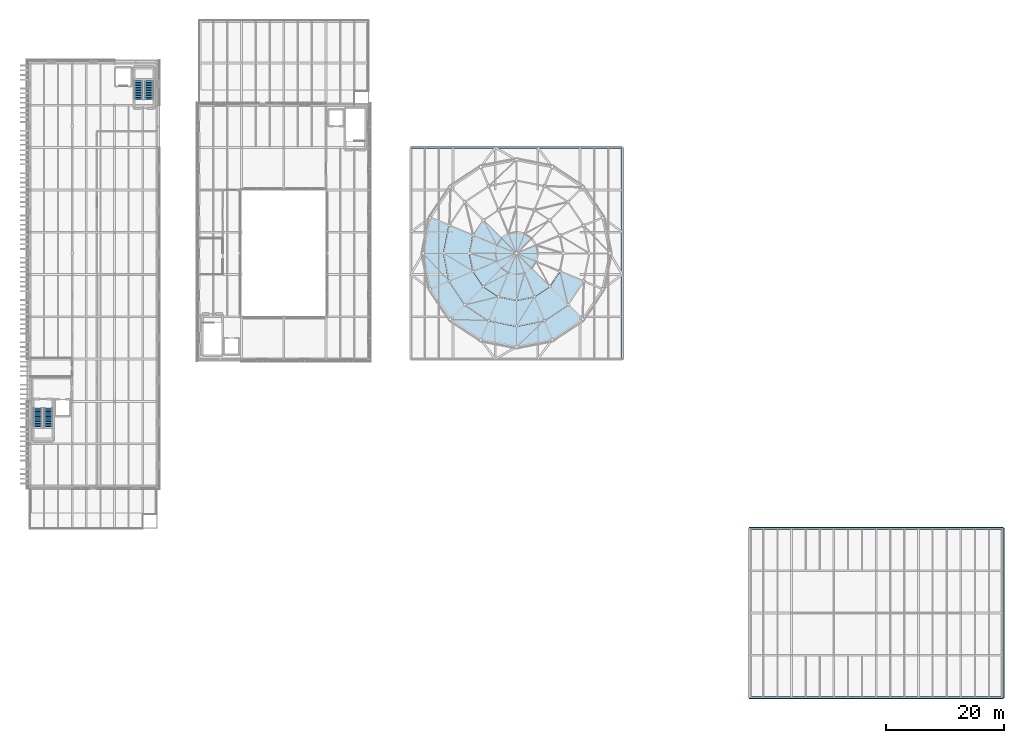
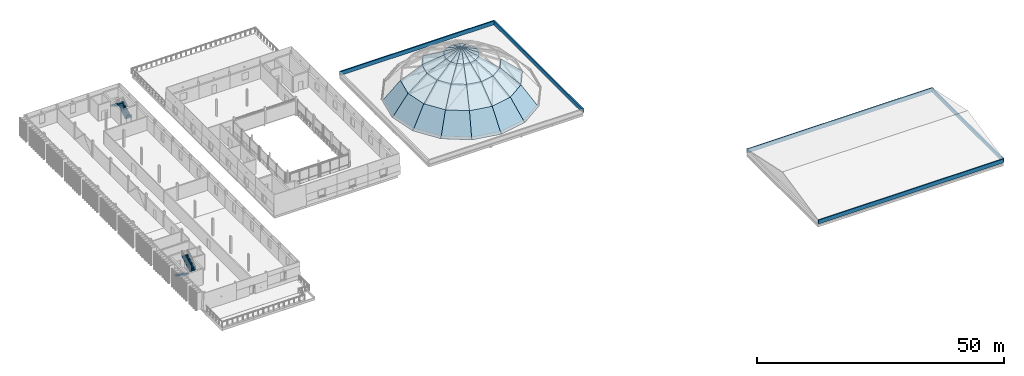
# One storey, part 49 of 66: 38 roofs, 5 walls, 4 stair flights, 2 elements without a shape of their own.
"""IFC4 building model written with IfcOpenShell, lengths in metres."""

from ifc_helpers import new_model, si_unit, direction, frame, frame_2d, origin, place, context, subcontext, project, spatial, polyline, rectangle, outline, extrude, material, layer, layer_set, type_object, element, aggregate, save


model = new_model("IFC4")

# Units and contexts
model_context = context("Model", 3, precision=1e-05, world=origin(), true_north=direction((0.0, 1.0)))
body_context = subcontext(model_context, "Body", "Model", "MODEL_VIEW")
ifc_project = project(units=[si_unit("LENGTHUNIT", "METRE"), si_unit("AREAUNIT", "SQUARE_METRE"), si_unit("VOLUMEUNIT", "CUBIC_METRE"), si_unit("PLANEANGLEUNIT", "RADIAN"), si_unit("MASSUNIT", "GRAM", prefix="KILO")], contexts=[model_context])

# Site, building, storey
site_placement = place(None, origin())
site = spatial("IfcSite", under=ifc_project, at=site_placement, CompositionType="ELEMENT")
building_placement = place(site_placement, origin())
building = spatial("IfcBuilding", under=site, at=building_placement, Name="Narikvali Park Central Library", CompositionType="ELEMENT")
storey_placement = place(building_placement, frame((0.0, 0.0, 18.60009765625)))
storey = spatial("IfcBuildingStorey", under=building, at=storey_placement, Name="L04", CompositionType="ELEMENT", Elevation=18.60009765625)

# Walls
ifc_material_1 = material(Name="White Honed Limestone over Concrete C35/45", Category="masonry")
ifc_layer_1 = layer(ifc_material_1, 0.300048828125, Name="White Honed Limestone over Concrete C35/45")
ifc_layer_set_1 = layer_set([ifc_layer_1], Name="White Honed Limestone over Concrete C35/45")
wall_type = type_object("IfcWallType", Name="Limestone Coping Parapet Wall 300", PredefinedType="PARAPET", material=ifc_layer_set_1)
for number, where, z_axis, x_axis, name in (
    (1, (100.800048828125, 57.60009765625, 0.0), (0.0, 0.0, 1.0), (0.0, 1.0, 0.0), "V1 L04 Roof Limestone Parapet E"),
    (2, (100.800048828125, 93.60009765625, 0.0), (0.0, 0.0, 1.0), (-1.0, 0.0, 0.0), "V1 L04 Roof Limestone Parapet N"),
):
    element("IfcWall", number, at=place(storey_placement, frame(where, z_axis=z_axis, x_axis=x_axis)), inside=storey, type_object=wall_type, Name=name, PredefinedType="PARAPET", context=body_context, shape_type="SweptSolid", body=[
        extrude(rectangle(XDim=36.0, YDim=0.300048828125, at=frame_2d((18.0, 0.0))), origin(), (0.0, 0.0, 1.0), 0.949951171875),
    ])
wall_1_placement = place(storey_placement, frame((122.39990234375, 0.0, 0.0), z_axis=(0.0, 0.0, 1.0), x_axis=(1.0, 0.0, 0.0)))
element("IfcWall", 3, at=wall_1_placement, inside=storey, type_object=wall_type, Name="V6 L04 Roof Limestone Parapet S", PredefinedType="PARAPET", context=body_context, shape_type="SweptSolid", body=[
    extrude(rectangle(XDim=43.2001953125, YDim=0.300048828125, at=frame_2d((21.60009765625, 0.0))), origin(), (0.0, 0.0, 1.0), 0.949951171875),
])
wall_2_placement = place(storey_placement, frame((165.60009765625, 0.0, 0.0), z_axis=(0.0, 0.0, 1.0), x_axis=(0.0, 1.0, 0.0)))
element("IfcWall", 4, at=wall_2_placement, inside=storey, type_object=wall_type, Name="V6 L04 Roof Limestone Parapet E", PredefinedType="PARAPET", context=body_context, shape_type="SweptSolid", body=[
    extrude(rectangle(XDim=28.800048828125, YDim=0.300048828125, at=frame_2d((14.39990234375, 0.0))), origin(), (0.0, 0.0, 1.0), 0.949951171875),
])
wall_3_placement = place(storey_placement, frame((165.60009765625, 28.800048828125, 0.0), z_axis=(0.0, 0.0, 1.0), x_axis=(-1.0, 0.0, 0.0)))
element("IfcWall", 5, at=wall_3_placement, inside=storey, type_object=wall_type, Name="V6 L04 Roof Limestone Parapet N", PredefinedType="PARAPET", context=body_context, shape_type="SweptSolid", body=[
    extrude(rectangle(XDim=43.2001953125, YDim=0.300048828125, at=frame_2d((21.60009765625, 0.0))), origin(), (0.0, 0.0, 1.0), 0.949951171875),
])

# Stair, stair flights
ifc_material_2 = material(Name="Concrete C35/45", Category="concrete")
stair_type = type_object("IfcStairType", Name="Core Enclosed Two-Flight Exit Stair", PredefinedType="HALF_TURN_STAIR", material=ifc_material_2)
stair_1_placement = place(storey_placement, origin())
stair_1 = element("IfcStair", 6, at=stair_1_placement, inside=storey, type_object=stair_type, Name="L04 Exit Stair ST-09", PredefinedType="HALF_TURN_STAIR")
ifc_material_3 = material(Name="Precast concrete C40/50", Category="concrete")
stair_flight_type = type_object("IfcStairFlightType", Name="Precast Concrete Stair Flight 1420", PredefinedType="STRAIGHT", material=ifc_material_3)
stair_flight_1_placement = place(storey_placement, frame((1.360107421875, 49.25, 0.0), z_axis=(0.0, 0.0, 1.0), x_axis=(0.0, -1.0, 0.0)))
stair_flight_1 = element("IfcStairFlight", 7, at=stair_flight_1_placement, type_object=stair_flight_type, Name="ST-09 flight 1", NumberOfRisers=12, NumberOfTreads=11, PredefinedType="STRAIGHT", RiserHeight=0.175, TreadLength=0.285, context=body_context, shape_type="SweptSolid", body=[
    extrude(outline(polyline([(-0.0400390625, -0.02490234375), (-0.0400390625, 0.0), (0.0, 0.0), (0.0, 0.175048828125), (0.284912109375, 0.175048828125), (0.284912109375, 0.35009765625), (0.570068359375, 0.35009765625), (0.570068359375, 0.52490234375), (0.85498046875, 0.52490234375), (0.85498046875, 0.699951171875), (1.139892578125, 0.699951171875), (1.139892578125, 0.875), (1.425048828125, 0.875), (1.425048828125, 1.050048828125), (1.7099609375, 1.050048828125), (1.7099609375, 1.22509765625), (1.9951171875, 1.22509765625), (1.9951171875, 1.39990234375), (2.280029296875, 1.39990234375), (2.280029296875, 1.574951171875), (2.56494140625, 1.574951171875), (2.56494140625, 1.75), (2.85009765625, 1.75), (2.85009765625, 1.925048828125), (3.135009765625, 1.925048828125), (3.135009765625, 2.10009765625), (3.179931640625, 2.10009765625), (3.179931640625, 1.7138671875), (3.135009765625, 1.7138671875), (0.34375, -0.02490234375), (-0.0400390625, -0.02490234375)])), frame((0.0, 0.7099609375, 0.0), z_axis=(0.0, -1.0, 0.0), x_axis=(1.0, 0.0, 0.0)), (0.0, 0.0, 1.0), 1.419921875),
])
stair_flight_2_placement = place(storey_placement, frame((3.139892578125, 46.114990234375, 2.099853515625), z_axis=(0.0, 0.0, 1.0), x_axis=(0.0, 1.0, 0.0)))
stair_flight_2 = element("IfcStairFlight", 8, at=stair_flight_2_placement, type_object=stair_flight_type, Name="ST-09 flight 2", NumberOfRisers=12, NumberOfTreads=11, PredefinedType="STRAIGHT", RiserHeight=0.175, TreadLength=0.285, context=body_context, shape_type="SweptSolid", body=[
    extrude(outline(polyline([(-0.0400390625, -0.02490234375), (-0.0400390625, 0.0), (0.0, 0.0), (0.0, 0.175048828125), (0.284912109375, 0.175048828125), (0.284912109375, 0.35009765625), (0.570068359375, 0.35009765625), (0.570068359375, 0.52490234375), (0.85498046875, 0.52490234375), (0.85498046875, 0.699951171875), (1.139892578125, 0.699951171875), (1.139892578125, 0.875), (1.425048828125, 0.875), (1.425048828125, 1.050048828125), (1.7099609375, 1.050048828125), (1.7099609375, 1.22509765625), (1.9951171875, 1.22509765625), (1.9951171875, 1.39990234375), (2.280029296875, 1.39990234375), (2.280029296875, 1.574951171875), (2.56494140625, 1.574951171875), (2.56494140625, 1.75), (2.85009765625, 1.75), (2.85009765625, 1.925048828125), (3.135009765625, 1.925048828125), (3.135009765625, 2.10009765625), (3.179931640625, 2.10009765625), (3.179931640625, 1.7138671875), (3.135009765625, 1.7138671875), (0.34375, -0.02490234375), (-0.0400390625, -0.02490234375)])), frame((0.0, 0.7099609375, 0.0), z_axis=(0.0, -1.0, 0.0), x_axis=(1.0, 0.0, 0.0)), (0.0, 0.0, 1.0), 1.419921875),
])
aggregate(stair_1, [stair_flight_1, stair_flight_2])

stair_2_placement = place(storey_placement, origin())
stair_2 = element("IfcStair", 9, at=stair_2_placement, inside=storey, type_object=stair_type, Name="L04 Exit Stair ST-10", PredefinedType="HALF_TURN_STAIR")
stair_flight_3_placement = place(storey_placement, frame((20.2900390625, 101.85009765625, 0.0), z_axis=(0.0, 0.0, 1.0), x_axis=(0.0, 1.0, 0.0)))
stair_flight_3 = element("IfcStairFlight", 10, at=stair_flight_3_placement, type_object=stair_flight_type, Name="ST-10 flight 1", NumberOfRisers=12, NumberOfTreads=11, PredefinedType="STRAIGHT", RiserHeight=0.175, TreadLength=0.285, context=body_context, shape_type="SweptSolid", body=[
    extrude(outline(polyline([(-0.0400390625, -0.02490234375), (-0.0400390625, 0.0), (0.0, 0.0), (0.0, 0.175048828125), (0.284912109375, 0.175048828125), (0.284912109375, 0.35009765625), (0.570068359375, 0.35009765625), (0.570068359375, 0.52490234375), (0.85498046875, 0.52490234375), (0.85498046875, 0.699951171875), (1.139892578125, 0.699951171875), (1.139892578125, 0.875), (1.425048828125, 0.875), (1.425048828125, 1.050048828125), (1.7099609375, 1.050048828125), (1.7099609375, 1.22509765625), (1.9951171875, 1.22509765625), (1.9951171875, 1.39990234375), (2.280029296875, 1.39990234375), (2.280029296875, 1.574951171875), (2.56494140625, 1.574951171875), (2.56494140625, 1.75), (2.85009765625, 1.75), (2.85009765625, 1.925048828125), (3.135009765625, 1.925048828125), (3.135009765625, 2.10009765625), (3.179931640625, 2.10009765625), (3.179931640625, 1.7138671875), (3.135009765625, 1.7138671875), (0.34375, -0.02490234375), (-0.0400390625, -0.02490234375)])), frame((0.0, 0.7099609375, 0.0), z_axis=(0.0, -1.0, 0.0), x_axis=(1.0, 0.0, 0.0)), (0.0, 0.0, 1.0), 1.419921875),
])
stair_flight_4_placement = place(storey_placement, frame((18.510009765625, 104.985107421875, 2.099853515625), z_axis=(0.0, 0.0, 1.0), x_axis=(0.0, -1.0, 0.0)))
stair_flight_4 = element("IfcStairFlight", 11, at=stair_flight_4_placement, type_object=stair_flight_type, Name="ST-10 flight 2", NumberOfRisers=12, NumberOfTreads=11, PredefinedType="STRAIGHT", RiserHeight=0.175, TreadLength=0.285, context=body_context, shape_type="SweptSolid", body=[
    extrude(outline(polyline([(-0.0400390625, -0.02490234375), (-0.0400390625, 0.0), (0.0, 0.0), (0.0, 0.175048828125), (0.284912109375, 0.175048828125), (0.284912109375, 0.35009765625), (0.570068359375, 0.35009765625), (0.570068359375, 0.52490234375), (0.85498046875, 0.52490234375), (0.85498046875, 0.699951171875), (1.139892578125, 0.699951171875), (1.139892578125, 0.875), (1.425048828125, 0.875), (1.425048828125, 1.050048828125), (1.7099609375, 1.050048828125), (1.7099609375, 1.22509765625), (1.9951171875, 1.22509765625), (1.9951171875, 1.39990234375), (2.280029296875, 1.39990234375), (2.280029296875, 1.574951171875), (2.56494140625, 1.574951171875), (2.56494140625, 1.75), (2.85009765625, 1.75), (2.85009765625, 1.925048828125), (3.135009765625, 1.925048828125), (3.135009765625, 2.10009765625), (3.179931640625, 2.10009765625), (3.179931640625, 1.7138671875), (3.135009765625, 1.7138671875), (0.34375, -0.02490234375), (-0.0400390625, -0.02490234375)])), frame((0.0, 0.7099609375, 0.0), z_axis=(0.0, -1.0, 0.0), x_axis=(1.0, 0.0, 0.0)), (0.0, 0.0, 1.0), 1.419921875),
])
aggregate(stair_2, [stair_flight_3, stair_flight_4])

# Roofs
ifc_material_4 = material(Name="Standing-seam zinc over Steel S355 deck", Category="steel")
ifc_layer_2 = layer(ifc_material_4, 0.179931640625, Name="Standing-seam zinc over Steel S355 deck")
ifc_layer_set_2 = layer_set([ifc_layer_2], Name="Standing-seam zinc over Steel S355 deck")
roof_type = type_object("IfcRoofType", Name="Standing Seam Zinc Dome Sector Roof 180", PredefinedType="DOME_ROOF", material=ifc_layer_set_2)
roof_1_placement = place(storey_placement, frame((67.906982421875, 81.768798828125, -0.18017578125), z_axis=(-0.78065038994, 0.155286640283, 0.605368505983), x_axis=(-0.195095738676, -0.980784202945, 1.848865e-06)))
element("IfcRoof", 12, at=roof_1_placement, inside=storey, type_object=roof_type, Name="Main Reading Room Dome Roof Sector T1-08", PredefinedType="DOME_ROOF", context=body_context, shape_type="SweptSolid", body=[
    extrude(outline(polyline([(0.0, 0.0), (6.289557040626093, 0.0), (5.575484879950767, 5.930005747193832), (0.7139950292969647, 5.930031649451649), (0.0, 0.0)])), origin(), (0.0, 0.0, -1.0), 0.179931640625),
])
roof_2_placement = place(storey_placement, frame((66.679931640625, 75.60009765625, -0.18017578125), z_axis=(-0.780651716427, -0.155279971541, 0.605368506017), x_axis=(0.195087708905, -0.980785800179, -1.381521e-06)))
element("IfcRoof", 13, at=roof_2_placement, inside=storey, type_object=roof_type, Name="Main Reading Room Dome Roof Sector T1-09", PredefinedType="DOME_ROOF", context=body_context, shape_type="SweptSolid", body=[
    extrude(outline(polyline([(0.0, 0.0), (6.2897964902034715, 0.0), (5.57577427621106, 5.930028376276738), (0.714044976311824, 5.930009020597707), (0.0, 0.0)])), origin(), (0.0, 0.0, -1.0), 0.179931640625),
])
roof_3_placement = place(storey_placement, frame((67.906982421875, 69.43115234375, -0.18017578125), z_axis=(-0.661815206105, -0.442197600519, 0.605360979138), x_axis=(0.555562442061, -0.831474817982, 5.786123e-06)))
element("IfcRoof", 14, at=roof_3_placement, inside=storey, type_object=roof_type, Name="Main Reading Room Dome Roof Sector T1-10", PredefinedType="DOME_ROOF", context=body_context, shape_type="SweptSolid", body=[
    extrude(outline(polyline([(0.0, 0.0), (6.289742995411517, -6.661338147750939e-16), (5.575874890140197, 5.929935515249731), (0.7141201702519627, 5.9300165804619045), (0.0, 0.0)])), origin(), (0.0, 0.0, -1.0), 0.179931640625),
])
roof_4_placement = place(storey_placement, frame((71.4013671875, 64.201416015625, -0.18017578125), z_axis=(-0.442211752531, -0.661818960341, 0.605346536833), x_axis=(0.831470536919, -0.555568849232, 7.4523e-08)))
element("IfcRoof", 15, at=roof_4_placement, inside=storey, type_object=roof_type, Name="Main Reading Room Dome Roof Sector T1-11", PredefinedType="DOME_ROOF", context=body_context, shape_type="SweptSolid", body=[
    extrude(outline(polyline([(0.0, 0.0), (6.289742995698779, 0.0), (5.575758461811099, 5.92989369574461), (0.7142067384692741, 5.929894739797871), (0.0, 0.0)])), origin(), (0.0, 0.0, -1.0), 0.179931640625),
])
roof_5_placement = place(storey_placement, frame((76.631103515625, 60.70703125, -0.18017578125), z_axis=(-0.155283767267, -0.780670798988, 0.605342923665), x_axis=(0.980785800161, -0.195087708993, 1.381496e-06)))
element("IfcRoof", 16, at=roof_5_placement, inside=storey, type_object=roof_type, Name="Main Reading Room Dome Roof Sector T1-12", PredefinedType="DOME_ROOF", context=body_context, shape_type="SweptSolid", body=[
    extrude(outline(polyline([(0.0, 0.0), (6.2897964902034715, 1.1102230246251565e-16), (5.575799142291886, 5.929864068735238), (0.714069842392646, 5.929883423596316), (0.0, 0.0)])), origin(), (0.0, 0.0, -1.0), 0.179931640625),
])
roof_6_placement = place(storey_placement, frame((82.800048828125, 59.47998046875, -0.18017578125), z_axis=(0.155286724123, -0.780668237823, 0.605345468113), x_axis=(0.980785272241, 0.19509036302, -3.439489e-06)))
element("IfcRoof", 17, at=roof_6_placement, inside=storey, type_object=roof_type, Name="Main Reading Room Dome Roof Sector T1-13", PredefinedType="DOME_ROOF", context=body_context, shape_type="SweptSolid", body=[
    extrude(outline(polyline([(0.0, 0.0), (6.289796490118323, -1.1102230246251565e-16), (5.575487198141542, 5.9299122552429315), (0.7139973477509541, 5.929864068664262), (0.0, 0.0)])), origin(), (0.0, 0.0, -1.0), 0.179931640625),
])
roof_7_placement = place(storey_placement, frame((88.968994140625, 60.70703125, -0.18017578125), z_axis=(0.442211752531, -0.661818960341, 0.605346536833), x_axis=(0.831466146439, 0.55557541992, 1.0316431e-05)))
element("IfcRoof", 18, at=roof_7_placement, inside=storey, type_object=roof_type, Name="Main Reading Room Dome Roof Sector T1-14", PredefinedType="DOME_ROOF", context=body_context, shape_type="SweptSolid", body=[
    extrude(outline(polyline([(0.0, 0.0), (6.289540000498164, 0.0), (5.575613669066389, 5.929821952983351), (0.7138589514605347, 5.929966484449332), (0.0, 0.0)])), origin(), (0.0, 0.0, -1.0), 0.179931640625),
])
roof_8_placement = place(storey_placement, frame((71.28857421875, 80.3681640625, 4.539794921875), z_axis=(-0.611379050009, 0.121618106581, 0.781936502129), x_axis=(-0.195101802841, -0.980782996655, -2.35129e-07)))
element("IfcRoof", 19, at=roof_8_placement, inside=storey, type_object=roof_type, Name="Main Reading Room Dome Roof Sector T2-08", PredefinedType="DOME_ROOF", context=body_context, shape_type="SweptSolid", body=[
    extrude(outline(polyline([(0.0, 0.0), (4.8614898507605355, 0.0), (4.00306016228201, 5.518796580904294), (0.8584013665579505, 5.518793561002905), (0.0, 0.0)])), origin(), (0.0, 0.0, -1.0), 0.179931640625),
])
roof_9_placement = place(storey_placement, frame((70.340087890625, 75.60009765625, 4.539794921875), z_axis=(-0.611380497016, -0.121610832268, 0.781936502118), x_axis=(0.195091393075, -0.980785067355, 1.259111e-06)))
element("IfcRoof", 20, at=roof_9_placement, inside=storey, type_object=roof_type, Name="Main Reading Room Dome Roof Sector T2-09", PredefinedType="DOME_ROOF", context=body_context, shape_type="SweptSolid", body=[
    extrude(outline(polyline([(0.0, 0.0), (4.861729299952653, 0.0), (4.003285654269427, 5.518786984673591), (0.8583874092108282, 5.518803157126682), (0.0, 0.0)])), origin(), (0.0, 0.0, -1.0), 0.179931640625),
])
roof_10_placement = place(storey_placement, frame((71.28857421875, 70.831787109375, 4.539794921875), z_axis=(-0.51831689055, -0.346298559864, 0.781936639637), x_axis=(0.555542528573, -0.831488123139, 5.034156e-06)))
element("IfcRoof", 21, at=roof_10_placement, inside=storey, type_object=roof_type, Name="Main Reading Room Dome Roof Sector T2-10", PredefinedType="DOME_ROOF", context=body_context, shape_type="SweptSolid", body=[
    extrude(outline(polyline([(0.0, 0.0), (4.861754720835019, -2.220446049250313e-16), (4.003079119421703, 5.5187642699010135), (0.8581739384131006, 5.518828930627102), (0.0, 0.0)])), origin(), (0.0, 0.0, -1.0), 0.179931640625),
])
roof_11_placement = place(storey_placement, frame((73.989501953125, 66.789306640625, 4.539794921875), z_axis=(-0.346300706985, -0.518301096552, 0.781946157772), x_axis=(0.831474989417, -0.555562185418, -1.0375687e-05)))
element("IfcRoof", 22, at=roof_11_placement, inside=storey, type_object=roof_type, Name="Main Reading Room Dome Roof Sector T2-11", PredefinedType="DOME_ROOF", context=body_context, shape_type="SweptSolid", body=[
    extrude(outline(polyline([(0.0, 0.0), (4.861551722914017, 4.440892098500626e-16), (4.003121754361804, 5.518968939420082), (0.8582165760180086, 5.518835670742961), (0.0, 0.0)])), origin(), (0.0, 0.0, -1.0), 0.179931640625),
])
roof_12_placement = place(storey_placement, frame((78.03173828125, 64.08837890625, 4.539794921875), z_axis=(-0.121606706513, -0.61135975539, 0.78195336077), x_axis=(0.980785067342, -0.195091393142, -1.259095e-06)))
element("IfcRoof", 23, at=roof_12_placement, inside=storey, type_object=roof_type, Name="Main Reading Room Dome Roof Sector T2-12", PredefinedType="DOME_ROOF", context=body_context, shape_type="SweptSolid", body=[
    extrude(outline(polyline([(0.0, 0.0), (4.861729299952654, 1.1102230246251565e-16), (4.003294260766838, 5.518990393570375), (0.85839601570824, 5.518974220768605), (0.0, 0.0)])), origin(), (0.0, 0.0, -1.0), 0.179931640625),
])
roof_13_placement = place(storey_placement, frame((82.800048828125, 63.139892578125, 4.539794921875), z_axis=(0.12161075379, -0.611361094856, 0.781951684095), x_axis=(0.980783447643, 0.195099535673, 3.134928e-06)))
element("IfcRoof", 24, at=roof_13_placement, inside=storey, type_object=roof_type, Name="Main Reading Room Dome Roof Sector T2-13", PredefinedType="DOME_ROOF", context=body_context, shape_type="SweptSolid", body=[
    extrude(outline(polyline([(0.0, 0.0), (4.861489850721687, 0.0), (4.003375565520409, 5.518943550684472), (0.858477320728655, 5.518983816818092), (0.0, 0.0)])), origin(), (0.0, 0.0, -1.0), 0.179931640625),
])
roof_14_placement = place(storey_placement, frame((87.568115234375, 64.08837890625, 4.539794921875), z_axis=(0.346300706985, -0.518301096552, 0.781946157772), x_axis=(0.831484466349, 0.555548001716, -3.222815e-06)))
element("IfcRoof", 25, at=roof_14_placement, inside=storey, type_object=roof_type, Name="Main Reading Room Dome Roof Sector T2-14", PredefinedType="DOME_ROOF", context=body_context, shape_type="SweptSolid", body=[
    extrude(outline(polyline([(0.0, 0.0), (4.861754720894481, 2.220446049250313e-16), (4.003214750687566, 5.518923003532054), (0.858512569322107, 5.518881608659724), (0.0, 0.0)])), origin(), (0.0, 0.0, -1.0), 0.179931640625),
])
roof_15_placement = place(storey_placement, frame((91.610595703125, 66.789306640625, 4.539794921875), z_axis=(0.518300656336, -0.346306720395, 0.781943786375), x_axis=(0.555550720026, 0.831482650105, 7.323807e-06)))
element("IfcRoof", 26, at=roof_15_placement, inside=storey, type_object=roof_type, Name="Main Reading Room Dome Roof Sector T2-15", PredefinedType="DOME_ROOF", context=body_context, shape_type="SweptSolid", body=[
    extrude(outline(polyline([(0.0, 0.0), (4.8617547207225265, 0.0), (4.003580782514554, 5.5188289305598985), (0.8585399698933708, 5.51892300342935), (0.0, 0.0)])), origin(), (0.0, 0.0, -1.0), 0.179931640625),
])
roof_16_placement = place(storey_placement, frame((77.1005859375, 81.29931640625, 7.97998046875), z_axis=(-0.339986696644, 0.227155175143, 0.912584008468), x_axis=(-0.555527018241, -0.831498485831, 8.096078e-06)))
element("IfcRoof", 27, at=roof_16_placement, inside=storey, type_object=roof_type, Name="Main Reading Room Dome Roof Sector T3-07", PredefinedType="DOME_ROOF", context=body_context, shape_type="SweptSolid", body=[
    extrude(outline(polyline([(0.0, 0.0), (3.14490518170533, 2.220446049250313e-16), (2.2748012748226882, 4.793333328724123), (0.8703770541131206, 4.793423406235205), (0.0, 0.0)])), origin(), (0.0, 0.0, -1.0), 0.179931640625),
])
roof_17_placement = place(storey_placement, frame((75.353515625, 78.684326171875, 7.97998046875), z_axis=(-0.401033451264, 0.079785381309, 0.912582305273), x_axis=(-0.195104881343, -0.980782384216, 9.328016e-06)))
element("IfcRoof", 28, at=roof_17_placement, inside=storey, type_object=roof_type, Name="Main Reading Room Dome Roof Sector T3-08", PredefinedType="DOME_ROOF", context=body_context, shape_type="SweptSolid", body=[
    extrude(outline(polyline([(0.0, 0.0), (3.144658795561572, 0.0), (2.2745169286026514, 4.7932819206555966), (0.869815323162932, 4.793385704527242), (0.0, 0.0)])), origin(), (0.0, 0.0, -1.0), 0.179931640625),
])
roof_18_placement = place(storey_placement, frame((74.739990234375, 75.60009765625, 7.97998046875), z_axis=(-0.401032467953, -0.079780820347, 0.912583136132), x_axis=(0.195090793141, -0.980785186628, -1.1072443e-05)))
element("IfcRoof", 29, at=roof_18_placement, inside=storey, type_object=roof_type, Name="Main Reading Room Dome Roof Sector T3-09", PredefinedType="DOME_ROOF", context=body_context, shape_type="SweptSolid", body=[
    extrude(outline(polyline([(0.0, 0.0), (3.144898244878443, 0.0), (2.274777218838505, 4.793417146559871), (0.8700756151179428, 4.793293947075738), (0.0, 0.0)])), origin(), (0.0, 0.0, -1.0), 0.179931640625),
])
roof_19_placement = place(storey_placement, frame((75.353515625, 72.515625, 7.97998046875), z_axis=(-0.339989079244, -0.227142107024, 0.912586373562), x_axis=(0.555522873865, -0.831501254722, 3.02809e-06)))
element("IfcRoof", 30, at=roof_19_placement, inside=storey, type_object=roof_type, Name="Main Reading Room Dome Roof Sector T3-10", PredefinedType="DOME_ROOF", context=body_context, shape_type="SweptSolid", body=[
    extrude(outline(polyline([(0.0, 0.0), (3.1449051818117777, -2.220446049250313e-16), (2.274528127515223, 4.793423406271737), (0.8699009040140765, 4.793457098945766), (0.0, 0.0)])), origin(), (0.0, 0.0, -1.0), 0.179931640625),
])
roof_20_placement = place(storey_placement, frame((77.1005859375, 69.900634765625, 7.97998046875), z_axis=(-0.227161666198, -0.339985513159, 0.912582833639), x_axis=(0.831497110422, -0.555529076804, 1.3621547e-05)))
element("IfcRoof", 31, at=roof_20_placement, inside=storey, type_object=roof_type, Name="Main Reading Room Dome Roof Sector T3-11", PredefinedType="DOME_ROOF", context=body_context, shape_type="SweptSolid", body=[
    extrude(outline(polyline([(0.0, 0.0), (3.144905181478754, 2.220446049250313e-16), (2.2751399040156732, 4.793271841600326), (0.8703770537226744, 4.793423406157448), (0.0, 0.0)])), origin(), (0.0, 0.0, -1.0), 0.179931640625),
])
roof_21_placement = place(storey_placement, frame((79.715576171875, 68.153564453125, 7.97998046875), z_axis=(-0.079761531502, -0.401045807777, 0.912578959957), x_axis=(0.980786903353, -0.195082162533, -8.566894e-06)))
element("IfcRoof", 32, at=roof_21_placement, inside=storey, type_object=roof_type, Name="Main Reading Room Dome Roof Sector T3-12", PredefinedType="DOME_ROOF", context=body_context, shape_type="SweptSolid", body=[
    extrude(outline(polyline([(0.0, 0.0), (3.1448982449713516, 0.0), (2.274822629693296, 4.793293947107633), (0.8701686546002879, 4.793198629228929), (0.0, 0.0)])), origin(), (0.0, 0.0, -1.0), 0.179931640625),
])
roof_22_placement = place(storey_placement, frame((82.800048828125, 67.5400390625, 7.97998046875), z_axis=(0.079761531502, -0.401045807777, 0.912578959957), x_axis=(0.980786903353, 0.195082162533, 8.566894e-06)))
element("IfcRoof", 33, at=roof_22_placement, inside=storey, type_object=roof_type, Name="Main Reading Room Dome Roof Sector T3-13", PredefinedType="DOME_ROOF", context=body_context, shape_type="SweptSolid", body=[
    extrude(outline(polyline([(0.0, 0.0), (3.1448982449713516, 0.0), (2.274729590371064, 4.793198629228929), (0.8700756152780554, 4.793293947107633), (0.0, 0.0)])), origin(), (0.0, 0.0, -1.0), 0.179931640625),
])
roof_23_placement = place(storey_placement, frame((85.884521484375, 68.153564453125, 7.97998046875), z_axis=(0.227174735243, -0.339983130286, 0.912580468117), x_axis=(0.831474387371, 0.555563086491, -8.65304e-06)))
element("IfcRoof", 34, at=roof_23_placement, inside=storey, type_object=roof_type, Name="Main Reading Room Dome Roof Sector T3-14", PredefinedType="DOME_ROOF", context=body_context, shape_type="SweptSolid", body=[
    extrude(outline(polyline([(0.0, 0.0), (3.1447021815603824, 0.0), (2.274716786789919, 4.793333880979687), (0.8699539311517748, 4.793237605663529), (0.0, 0.0)])), origin(), (0.0, 0.0, -1.0), 0.179931640625),
])
roof_24_placement = place(storey_placement, frame((86.39990234375, 75.60009765625, 9.93994140625), z_axis=(0.417290214505, 0.082969984171, 0.904977822162), x_axis=(-0.195012996379, 0.98080065826, 0.0)))
element("IfcRoof", 35, at=roof_24_placement, inside=storey, type_object=roof_type, Name="Dome Glazed Lantern Sector 01", PredefinedType="DOME_ROOF", context=body_context, shape_type="SweptSolid", body=[
    extrude(outline(polyline([(0.0, 0.0), (1.4046539786373335, -2.7755575615628914e-17), (0.7020182206081486, 3.9014643357003282), (0.0, 0.0)])), origin(), (0.0, 0.0, -1.0), 0.219970703125),
])
roof_25_placement = place(storey_placement, frame((85.345703125, 78.1455078125, 9.93994140625), z_axis=(0.236392928505, 0.353739058483, 0.904979039457), x_axis=(-0.831434816422, 0.555622305205, 0.0)))
element("IfcRoof", 36, at=roof_25_placement, inside=storey, type_object=roof_type, Name="Dome Glazed Lantern Sector 03", PredefinedType="DOME_ROOF", context=body_context, shape_type="SweptSolid", body=[
    extrude(outline(polyline([(0.0, 0.0), (1.404762859253717, 1.1102230246251565e-16), (0.702258954288042, 3.9014880795295053), (0.0, 0.0)])), origin(), (0.0, 0.0, -1.0), 0.219970703125),
])
roof_26_placement = place(storey_placement, frame((84.177734375, 78.926025390625, 9.93994140625), z_axis=(0.082969984171, 0.417290214505, 0.904977822162), x_axis=(-0.98080065826, 0.195012996379, 0.0)))
element("IfcRoof", 37, at=roof_26_placement, inside=storey, type_object=roof_type, Name="Dome Glazed Lantern Sector 04", PredefinedType="DOME_ROOF", context=body_context, shape_type="SweptSolid", body=[
    extrude(outline(polyline([(0.0, 0.0), (1.4046539786373335, 2.7755575615628914e-17), (0.702635758029185, 3.901464335700328), (0.0, 0.0)])), origin(), (0.0, 0.0, -1.0), 0.219970703125),
])
roof_27_placement = place(storey_placement, frame((82.800048828125, 79.199951171875, 9.93994140625), z_axis=(-0.082969984171, 0.417290214505, 0.904977822162), x_axis=(-0.98080065826, -0.195012996379, 0.0)))
element("IfcRoof", 38, at=roof_27_placement, inside=storey, type_object=roof_type, Name="Dome Glazed Lantern Sector 05", PredefinedType="DOME_ROOF", context=body_context, shape_type="SweptSolid", body=[
    extrude(outline(polyline([(0.0, 0.0), (1.4046539786373335, -2.7755575615628914e-17), (0.7020182206081486, 3.9014643357003282), (0.0, 0.0)])), origin(), (0.0, 0.0, -1.0), 0.219970703125),
])
roof_28_placement = place(storey_placement, frame((81.42236328125, 78.926025390625, 9.93994140625), z_axis=(-0.236392928505, 0.353739058483, 0.904979039457), x_axis=(-0.831434816422, -0.555622305205, 0.0)))
element("IfcRoof", 39, at=roof_28_placement, inside=storey, type_object=roof_type, Name="Dome Glazed Lantern Sector 06", PredefinedType="DOME_ROOF", context=body_context, shape_type="SweptSolid", body=[
    extrude(outline(polyline([(0.0, 0.0), (1.404762859253717, -1.1102230246251565e-16), (0.7025039049656754, 3.9014880795295053), (0.0, 0.0)])), origin(), (0.0, 0.0, -1.0), 0.219970703125),
])
roof_29_placement = place(storey_placement, frame((80.25439453125, 78.1455078125, 9.93994140625), z_axis=(-0.353747628791, 0.236374121183, 0.90498060198), x_axis=(-0.555582440288, -0.831461455537, 0.0)))
element("IfcRoof", 40, at=roof_29_placement, inside=storey, type_object=roof_type, Name="Dome Glazed Lantern Sector 07", PredefinedType="DOME_ROOF", context=body_context, shape_type="SweptSolid", body=[
    extrude(outline(polyline([(0.0, 0.0), (1.4044242238754154, 1.1102230246251565e-16), (0.7020896070675842, 3.9015185578485014), (0.0, 0.0)])), origin(), (0.0, 0.0, -1.0), 0.219970703125),
])
roof_30_placement = place(storey_placement, frame((79.47412109375, 76.977783203125, 9.93994140625), z_axis=(-0.417264477036, 0.083038810511, 0.904983376727), x_axis=(-0.195180186307, -0.980767401005, 0.0)))
element("IfcRoof", 41, at=roof_30_placement, inside=storey, type_object=roof_type, Name="Dome Glazed Lantern Sector 08", PredefinedType="DOME_ROOF", context=body_context, shape_type="SweptSolid", body=[
    extrude(outline(polyline([(0.0, 0.0), (1.4047016096414255, 0.0), (0.7020338783725819, 3.9015726835239146), (0.0, 0.0)])), origin(), (0.0, 0.0, -1.0), 0.219970703125),
])
roof_31_placement = place(storey_placement, frame((79.199951171875, 75.60009765625, 9.93994140625), z_axis=(-0.417264477036, -0.083038810511, 0.904983376727), x_axis=(0.195180186307, -0.980767401005, 0.0)))
element("IfcRoof", 42, at=roof_31_placement, inside=storey, type_object=roof_type, Name="Dome Glazed Lantern Sector 09", PredefinedType="DOME_ROOF", context=body_context, shape_type="SweptSolid", body=[
    extrude(outline(polyline([(0.0, 0.0), (1.4047016096414255, 0.0), (0.7026677312688436, 3.9015726835239146), (0.0, 0.0)])), origin(), (0.0, 0.0, -1.0), 0.219970703125),
])
roof_32_placement = place(storey_placement, frame((79.47412109375, 74.222412109375, 9.93994140625), z_axis=(-0.353764889015, -0.236336242745, 0.904983747736), x_axis=(0.555502146192, -0.831515102434, 0.0)))
element("IfcRoof", 43, at=roof_32_placement, inside=storey, type_object=roof_type, Name="Dome Glazed Lantern Sector 10", PredefinedType="DOME_ROOF", context=body_context, shape_type="SweptSolid", body=[
    extrude(outline(polyline([(0.0, 0.0), (1.4046272239440003, 0.0), (0.7019936558911657, 3.9015799207873987), (0.0, 0.0)])), origin(), (0.0, 0.0, -1.0), 0.219970703125),
])
roof_33_placement = place(storey_placement, frame((80.25439453125, 73.054443359375, 9.93994140625), z_axis=(-0.236381798566, -0.35372240361, 0.904988456551), x_axis=(0.831434816422, -0.555622305205, 0.0)))
element("IfcRoof", 44, at=roof_33_placement, inside=storey, type_object=roof_type, Name="Dome Glazed Lantern Sector 11", PredefinedType="DOME_ROOF", context=body_context, shape_type="SweptSolid", body=[
    extrude(outline(polyline([(0.0, 0.0), (1.404762859253717, 0.0), (0.7021233043111852, 3.901671779479818), (0.0, 0.0)])), origin(), (0.0, 0.0, -1.0), 0.219970703125),
])
roof_34_placement = place(storey_placement, frame((81.42236328125, 72.27392578125, 9.93994140625), z_axis=(-0.082965375978, -0.417267038006, 0.904988931083), x_axis=(0.98080065826, -0.195012996379, 0.0)))
element("IfcRoof", 45, at=roof_34_placement, inside=storey, type_object=roof_type, Name="Dome Glazed Lantern Sector 12", PredefinedType="DOME_ROOF", context=body_context, shape_type="SweptSolid", body=[
    extrude(outline(polyline([(0.0, 0.0), (1.4046539786373335, 2.7755575615628914e-17), (0.7025881474343658, 3.9016810369434087), (0.0, 0.0)])), origin(), (0.0, 0.0, -1.0), 0.219970703125),
])
roof_35_placement = place(storey_placement, frame((82.800048828125, 72.0, 9.93994140625), z_axis=(0.082965375978, -0.417267038006, 0.904988931083), x_axis=(0.98080065826, 0.195012996379, 0.0)))
element("IfcRoof", 46, at=roof_35_placement, inside=storey, type_object=roof_type, Name="Dome Glazed Lantern Sector 13", PredefinedType="DOME_ROOF", context=body_context, shape_type="SweptSolid", body=[
    extrude(outline(polyline([(0.0, 0.0), (1.4046539786373335, -2.7755575615628914e-17), (0.7020658312029677, 3.9016810369434087), (0.0, 0.0)])), origin(), (0.0, 0.0, -1.0), 0.219970703125),
])
roof_36_placement = place(storey_placement, frame((84.177734375, 72.27392578125, 9.93994140625), z_axis=(0.236381798566, -0.35372240361, 0.904988456551), x_axis=(0.831434816422, 0.555622305205, 0.0)))
element("IfcRoof", 47, at=roof_36_placement, inside=storey, type_object=roof_type, Name="Dome Glazed Lantern Sector 14", PredefinedType="DOME_ROOF", context=body_context, shape_type="SweptSolid", body=[
    extrude(outline(polyline([(0.0, 0.0), (1.404762859253717, 0.0), (0.7026395549425319, 3.901671779479818), (0.0, 0.0)])), origin(), (0.0, 0.0, -1.0), 0.219970703125),
])
roof_37_placement = place(storey_placement, frame((85.345703125, 73.054443359375, 9.93994140625), z_axis=(0.353764889015, -0.236336242745, 0.904983747736), x_axis=(0.555502146192, 0.831515102434, 0.0)))
element("IfcRoof", 48, at=roof_37_placement, inside=storey, type_object=roof_type, Name="Dome Glazed Lantern Sector 15", PredefinedType="DOME_ROOF", context=body_context, shape_type="SweptSolid", body=[
    extrude(outline(polyline([(0.0, 0.0), (1.4046272239440003, 0.0), (0.7026335680528344, 3.9015799207873987), (0.0, 0.0)])), origin(), (0.0, 0.0, -1.0), 0.219970703125),
])
roof_38_placement = place(storey_placement, frame((86.1259765625, 74.222412109375, 9.93994140625), z_axis=(0.417290214505, -0.082969984171, 0.904977822162), x_axis=(0.195012996379, 0.98080065826, 0.0)))
element("IfcRoof", 49, at=roof_38_placement, inside=storey, type_object=roof_type, Name="Dome Glazed Lantern Sector 16", PredefinedType="DOME_ROOF", context=body_context, shape_type="SweptSolid", body=[
    extrude(outline(polyline([(0.0, 0.0), (1.4046539786373335, 2.7755575615628914e-17), (0.702635758029185, 3.901464335700328), (0.0, 0.0)])), origin(), (0.0, 0.0, -1.0), 0.219970703125),
])

save(model, "model.ifc")
